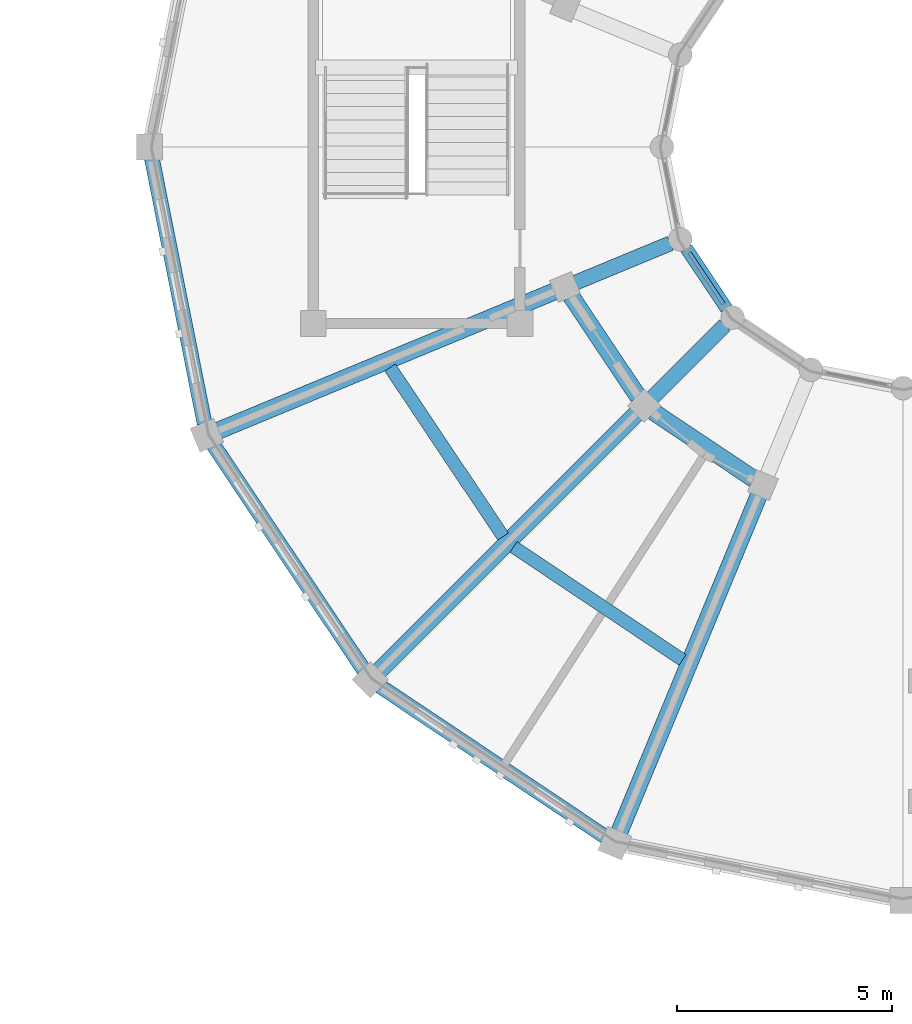
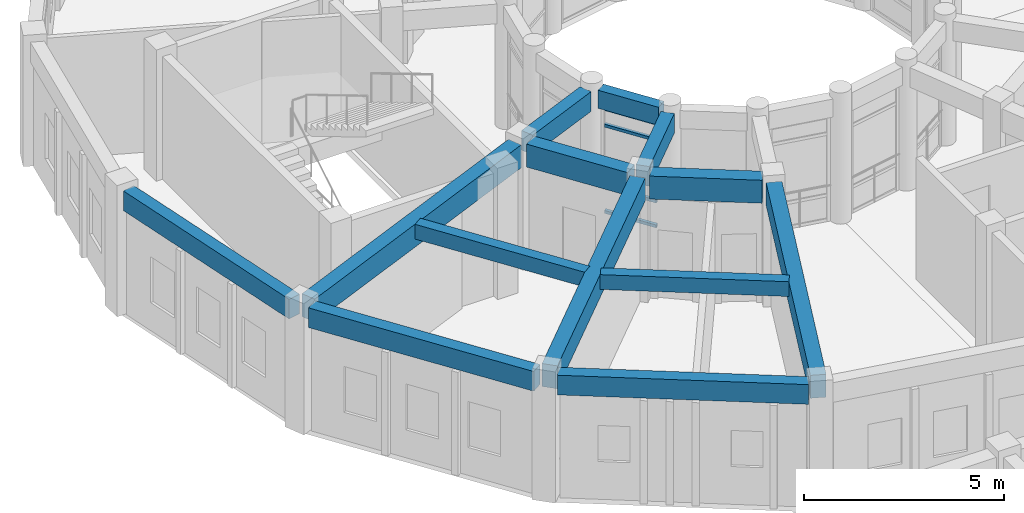
# One storey, part 25 of 112: 13 beams, 4 members, 1 element without a shape of its own.
"""IFC4 building model written with IfcOpenShell, lengths in metres."""

from ifc_helpers import new_model, si_unit, direction, frame, origin, origin_2d, place, context, subcontext, project, spatial, rectangle, hollow_rectangle, extrude, material, material_profile, profile_set, type_object, element, aggregate, save


model = new_model("IFC4")

# Units and contexts
model_context = context("Model", 3, precision=1e-05, world=origin(), true_north=direction((0.0, 1.0)))
body_context = subcontext(model_context, "Body", "Model", "MODEL_VIEW")
ifc_project = project(units=[si_unit("LENGTHUNIT", "METRE"), si_unit("AREAUNIT", "SQUARE_METRE"), si_unit("VOLUMEUNIT", "CUBIC_METRE"), si_unit("PLANEANGLEUNIT", "RADIAN"), si_unit("MASSUNIT", "GRAM", prefix="KILO")], contexts=[model_context])

# Site, building, storey
site_placement = place(None, origin())
site = spatial("IfcSite", under=ifc_project, at=site_placement, CompositionType="ELEMENT")
building_placement = place(site_placement, origin())
building = spatial("IfcBuilding", under=site, at=building_placement, Name="Celadon Cloister-Ring School", CompositionType="ELEMENT")
storey_placement = place(building_placement, frame((0.0, 0.0, 8.5)))
storey = spatial("IfcBuildingStorey", under=building, at=storey_placement, Name="L02", CompositionType="ELEMENT", Elevation=8.5)

# Beams
ifc_material_1 = material(Name="Concrete C35/45", Category="concrete")
ifc_material_profile_1 = material_profile(ifc_material_1, rectangle(XDim=0.35009765625, YDim=0.60009765625, at=origin_2d()), Name="RC350X600")
ifc_profile_set_1 = profile_set([ifc_material_profile_1], Name="Concrete C35/45")
beam_type_1 = type_object("IfcBeamType", Name="BT-02", PredefinedType="BEAM", material=ifc_profile_set_1)
beam_1_placement = place(storey_placement, frame((12.577880859375, 93.843017578125, 3.47998046875), z_axis=(0.923932522988, 0.382555476978, 0.0), x_axis=(-0.382555476978, 0.923932522988, 0.0)))
element("IfcBeam", 1, at=beam_1_placement, inside=storey, type_object=beam_type_1, Name="Beam 0747", PredefinedType="BEAM", context=body_context, shape_type="SweptSolid", body=[
    extrude(rectangle(XDim=0.35009765625, YDim=0.60009765625, at=origin_2d()), origin(), (0.0, 0.0, 1.0), 2.399658203125),
])
beam_2_placement = place(storey_placement, frame((14.366943359375, 91.1669921875, 3.47998046875), z_axis=(0.707106781187, 0.707106781187, 0.0), x_axis=(-0.707106781187, 0.707106781187, 0.0)))
element("IfcBeam", 2, at=beam_2_placement, inside=storey, type_object=beam_type_1, Name="Beam 0749", PredefinedType="BEAM", context=body_context, shape_type="SweptSolid", body=[
    extrude(rectangle(XDim=0.35009765625, YDim=0.60009765625, at=origin_2d()), origin(), (0.0, 0.0, 1.0), 2.398681640625),
])

# Curtain wall, members
ifc_material_2 = material(Name="Aluminium EN AW-6063 T6", Category="aluminium")
curtain_wall_type = type_object("IfcCurtainWallType", Name="CW-04", PredefinedType="USERDEFINED", material=ifc_material_2)
curtain_wall_placement = place(storey_placement, origin())
curtain_wall = element("IfcCurtainWall", 3, at=curtain_wall_placement, inside=storey, type_object=curtain_wall_type, Name="Curtain Wall 0110", ObjectType="CURTAIN WALL", PredefinedType="USERDEFINED")
ifc_material_3 = material(Name="Aluminium EN AW-6063 T6", Category="aluminium")
ifc_material_profile_2 = material_profile(ifc_material_3, hollow_rectangle(XDim=0.090087890625, YDim=0.090087890625, WallThickness=0.00390625, at=origin_2d()), Name="RHS90X90X4")
ifc_profile_set_2 = profile_set([ifc_material_profile_2], Name="Aluminium EN AW-6063 T6")
member_type = type_object("IfcMemberType", Name="CTM-02", PredefinedType="USERDEFINED", material=ifc_profile_set_2)
member_1_placement = place(storey_placement, frame((15.231689453125, 94.549072265625, 0.044921875), z_axis=(0.555518951009, -0.831503875559, 0.0), x_axis=(0.831503875559, 0.555518951009, 0.0)))
member_1 = element("IfcMember", 4, at=member_1_placement, type_object=member_type, Name="CW-04 transom 1.1", ObjectType="TRANSOM", PredefinedType="USERDEFINED", context=body_context, shape_type="SweptSolid", body=[
    extrude(hollow_rectangle(XDim=0.090087890625, YDim=0.090087890625, WallThickness=0.00390625, at=origin_2d()), origin(), (0.0, 0.0, 1.0), 1.444580078125),
])
member_2_placement = place(storey_placement, frame((15.231689453125, 94.549072265625, 0.800048828125), z_axis=(0.555518951009, -0.831503875559, 0.0), x_axis=(0.831503875559, 0.555518951009, 0.0)))
member_2 = element("IfcMember", 5, at=member_2_placement, type_object=member_type, Name="CW-04 transom 1.2", ObjectType="TRANSOM", PredefinedType="USERDEFINED", context=body_context, shape_type="SweptSolid", body=[
    extrude(hollow_rectangle(XDim=0.090087890625, YDim=0.090087890625, WallThickness=0.00390625, at=origin_2d()), origin(), (0.0, 0.0, 1.0), 1.444580078125),
])
member_3_placement = place(storey_placement, frame((15.231689453125, 94.549072265625, 2.672119140625), z_axis=(0.555518951009, -0.831503875559, 0.0), x_axis=(0.831503875559, 0.555518951009, 0.0)))
member_3 = element("IfcMember", 6, at=member_3_placement, type_object=member_type, Name="CW-04 transom 1.3", ObjectType="TRANSOM", PredefinedType="USERDEFINED", context=body_context, shape_type="SweptSolid", body=[
    extrude(hollow_rectangle(XDim=0.090087890625, YDim=0.090087890625, WallThickness=0.00390625, at=origin_2d()), origin(), (0.0, 0.0, 1.0), 1.444580078125),
])
member_4_placement = place(storey_placement, frame((15.231689453125, 94.549072265625, 3.177001953125), z_axis=(0.555518951009, -0.831503875559, 0.0), x_axis=(0.831503875559, 0.555518951009, 0.0)))
member_4 = element("IfcMember", 7, at=member_4_placement, type_object=member_type, Name="CW-04 transom 1.4", ObjectType="TRANSOM", PredefinedType="USERDEFINED", context=body_context, shape_type="SweptSolid", body=[
    extrude(hollow_rectangle(XDim=0.090087890625, YDim=0.090087890625, WallThickness=0.00390625, at=origin_2d()), origin(), (0.0, 0.0, 1.0), 1.444580078125),
])
aggregate(curtain_wall, [member_1, member_2, member_3, member_4])

# Beams
ifc_material_4 = material(Name="Concrete C35/45", Category="concrete")
ifc_material_profile_3 = material_profile(ifc_material_4, rectangle(XDim=0.39990234375, YDim=0.699951171875, at=origin_2d()), Name="RC400X700")
ifc_profile_set_3 = profile_set([ifc_material_profile_3], Name="Concrete C35/45")
beam_type_2 = type_object("IfcBeamType", Name="GT-03", PredefinedType="USERDEFINED", material=ifc_profile_set_3)
beam_3_placement = place(storey_placement, frame((4.285888671875, 90.407958984375, 3.429931640625), z_axis=(0.923896411609, 0.382642680076, 0.0), x_axis=(-0.382642680076, 0.923896411609, 0.0)))
element("IfcBeam", 8, at=beam_3_placement, inside=storey, type_object=beam_type_2, Name="Beam 0746", ObjectType="GIRDER", PredefinedType="USERDEFINED", context=body_context, shape_type="SweptSolid", body=[
    extrude(rectangle(XDim=0.39990234375, YDim=0.699951171875, at=origin_2d()), origin(), (0.0, 0.0, 1.0), 8.47509765625),
])
beam_4_placement = place(storey_placement, frame((8.02001953125, 84.820068359375, 3.429931640625), z_axis=(0.707106781187, 0.707106781187, 0.0), x_axis=(-0.707106781187, 0.707106781187, 0.0)))
element("IfcBeam", 9, at=beam_4_placement, inside=storey, type_object=beam_type_2, Name="Beam 0748", ObjectType="GIRDER", PredefinedType="USERDEFINED", context=body_context, shape_type="SweptSolid", body=[
    extrude(rectangle(XDim=0.39990234375, YDim=0.699951171875, at=origin_2d()), origin(), (0.0, 0.0, 1.0), 8.475341796875),
])
beam_5_placement = place(storey_placement, frame((13.60791015625, 81.0859375, 3.429931640625), z_axis=(0.382667268836, 0.923886227499, 0.0), x_axis=(-0.923886227499, 0.382667268836, 0.0)))
element("IfcBeam", 10, at=beam_5_placement, inside=storey, type_object=beam_type_2, Name="Beam 0750", ObjectType="GIRDER", PredefinedType="USERDEFINED", context=body_context, shape_type="SweptSolid", body=[
    extrude(rectangle(XDim=0.39990234375, YDim=0.699951171875, at=origin_2d()), origin(), (0.0, 0.0, 1.0), 8.47509765625),
])
beam_6_placement = place(storey_placement, frame((12.486083984375, 93.5390625, 3.429931640625), z_axis=(0.555740149771, -0.831356052442, 0.0), x_axis=(0.831356052442, 0.555740149771, 0.0)))
element("IfcBeam", 11, at=beam_6_placement, inside=storey, type_object=beam_type_2, Name="Beam 0787", ObjectType="GIRDER", PredefinedType="USERDEFINED", context=body_context, shape_type="SweptSolid", body=[
    extrude(rectangle(XDim=0.39990234375, YDim=0.699951171875, at=origin_2d()), origin(), (0.0, 0.0, 1.0), 2.81591796875),
])
beam_7_placement = place(storey_placement, frame((14.39794921875, 90.85107421875, 3.429931640625), z_axis=(0.831315995752, -0.555800067657, 0.0), x_axis=(0.555800067657, 0.831315995752, 0.0)))
element("IfcBeam", 12, at=beam_7_placement, inside=storey, type_object=beam_type_2, Name="Beam 0791", ObjectType="GIRDER", PredefinedType="USERDEFINED", context=body_context, shape_type="SweptSolid", body=[
    extrude(rectangle(XDim=0.39990234375, YDim=0.699951171875, at=origin_2d()), origin(), (0.0, 0.0, 1.0), 2.816162109375),
])
ifc_material_5 = material(Name="Concrete C35/45", Category="concrete")
ifc_material_profile_4 = material_profile(ifc_material_5, rectangle(XDim=0.300048828125, YDim=0.449951171875, at=origin_2d()), Name="RC300X450")
ifc_profile_set_4 = profile_set([ifc_material_profile_4], Name="Concrete C35/45")
beam_type_3 = type_object("IfcBeamType", Name="JT-01", PredefinedType="JOIST", material=ifc_profile_set_4)
beam_8_placement = place(storey_placement, frame((8.287109375, 91.87890625, 3.554931640625), z_axis=(0.555761854047, -0.831341543282, 0.0), x_axis=(0.831341543282, 0.555761854047, 0.0)))
element("IfcBeam", 13, at=beam_8_placement, inside=storey, type_object=beam_type_3, Name="Beam 0789", PredefinedType="JOIST", context=body_context, shape_type="SweptSolid", body=[
    extrude(rectangle(XDim=0.300048828125, YDim=0.449951171875, at=origin_2d()), origin(), (0.0, 0.0, 1.0), 4.720947265625),
])
beam_9_placement = place(storey_placement, frame((11.154052734375, 87.7109375, 3.554931640625), z_axis=(0.831333623542, -0.55577370068, 0.0), x_axis=(0.55577370068, 0.831333623542, 0.0)))
element("IfcBeam", 14, at=beam_9_placement, inside=storey, type_object=beam_type_3, Name="Beam 0793", PredefinedType="JOIST", context=body_context, shape_type="SweptSolid", body=[
    extrude(rectangle(XDim=0.300048828125, YDim=0.449951171875, at=origin_2d()), origin(), (0.0, 0.0, 1.0), 4.721435546875),
])
ifc_material_6 = material(Name="Concrete C35/45", Category="concrete")
ifc_material_profile_5 = material_profile(ifc_material_6, rectangle(XDim=0.35009765625, YDim=0.60009765625, at=origin_2d()), Name="RC350X600")
ifc_profile_set_5 = profile_set([ifc_material_profile_5], Name="Concrete C35/45")
beam_type_4 = type_object("IfcBeamType", Name="SP-01", PredefinedType="SPANDREL", material=ifc_profile_set_5)
beam_10_placement = place(storey_placement, frame((2.75390625, 96.72998046875, 3.47998046875), z_axis=(0.195001619501, -0.980802920261, 0.0), x_axis=(0.980802920261, 0.195001619501, 0.0)))
element("IfcBeam", 15, at=beam_10_placement, inside=storey, type_object=beam_type_4, Name="Beam 0784", PredefinedType="SPANDREL", context=body_context, shape_type="SweptSolid", body=[
    extrude(rectangle(XDim=0.35009765625, YDim=0.60009765625, at=origin_2d()), origin(), (0.0, 0.0, 1.0), 6.277587890625),
])
beam_11_placement = place(storey_placement, frame((4.18505859375, 90.073974609375, 3.47998046875), z_axis=(0.555660177561, -0.831409506244, 0.0), x_axis=(0.831409506244, 0.555660177561, 0.0)))
element("IfcBeam", 16, at=beam_11_placement, inside=storey, type_object=beam_type_4, Name="Beam 0786", PredefinedType="SPANDREL", context=body_context, shape_type="SweptSolid", body=[
    extrude(rectangle(XDim=0.35009765625, YDim=0.60009765625, at=origin_2d()), origin(), (0.0, 0.0, 1.0), 6.27734375),
])
beam_12_placement = place(storey_placement, frame((8.054931640625, 84.472900390625, 3.47998046875), z_axis=(0.831427473898, -0.555633292422, 0.0), x_axis=(0.555633292422, 0.831427473898, 0.0)))
element("IfcBeam", 17, at=beam_12_placement, inside=storey, type_object=beam_type_4, Name="Beam 0790", PredefinedType="SPANDREL", context=body_context, shape_type="SweptSolid", body=[
    extrude(rectangle(XDim=0.35009765625, YDim=0.60009765625, at=origin_2d()), origin(), (0.0, 0.0, 1.0), 6.277099609375),
])
ifc_material_7 = material(Name="Concrete C35/45", Category="concrete")
ifc_material_profile_6 = material_profile(ifc_material_7, rectangle(XDim=0.300048828125, YDim=0.550048828125, at=origin_2d()), Name="RC300X550")
ifc_profile_set_6 = profile_set([ifc_material_profile_6], Name="Concrete C35/45")
beam_type_5 = type_object("IfcBeamType", Name="SP-02", PredefinedType="SPANDREL", material=ifc_profile_set_6)
beam_13_placement = place(storey_placement, frame((15.1650390625, 94.64892578125, 3.5048828125), z_axis=(0.555569328961, -0.831470216374, 0.0), x_axis=(0.831470216374, 0.555569328961, 0.0)))
element("IfcBeam", 18, at=beam_13_placement, inside=storey, type_object=beam_type_5, Name="Beam 0788", PredefinedType="SPANDREL", context=body_context, shape_type="SweptSolid", body=[
    extrude(rectangle(XDim=0.300048828125, YDim=0.550048828125, at=origin_2d()), origin(), (0.0, 0.0, 1.0), 1.684814453125),
])

save(model, "model.ifc")
